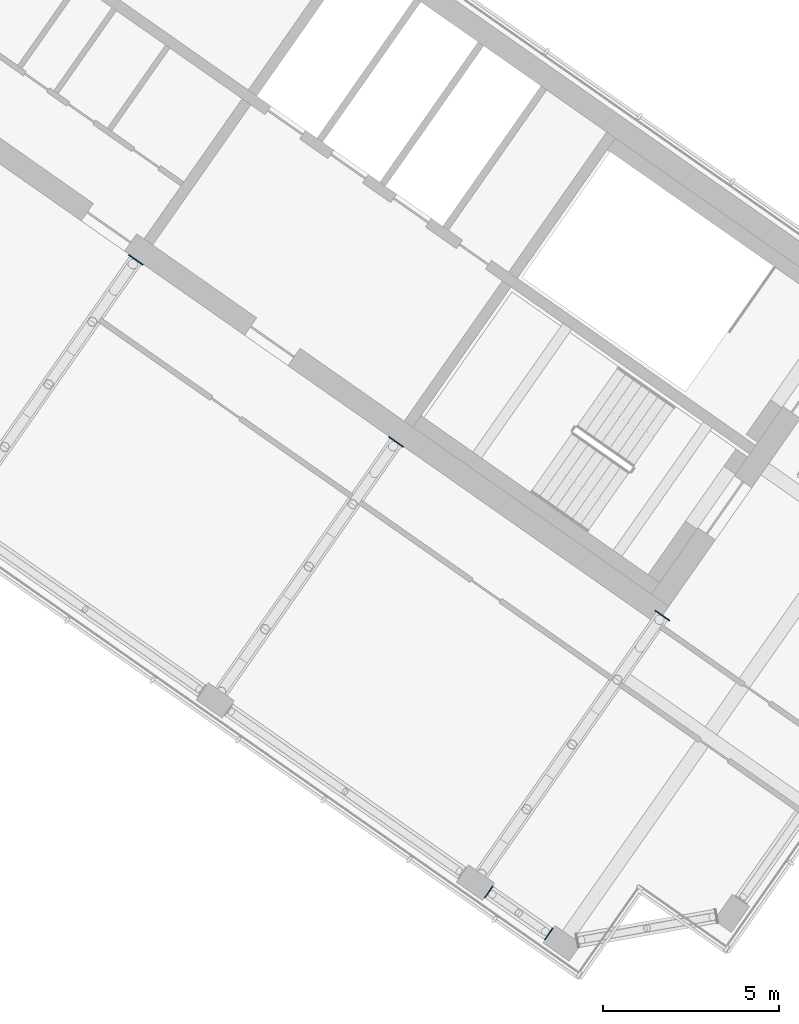
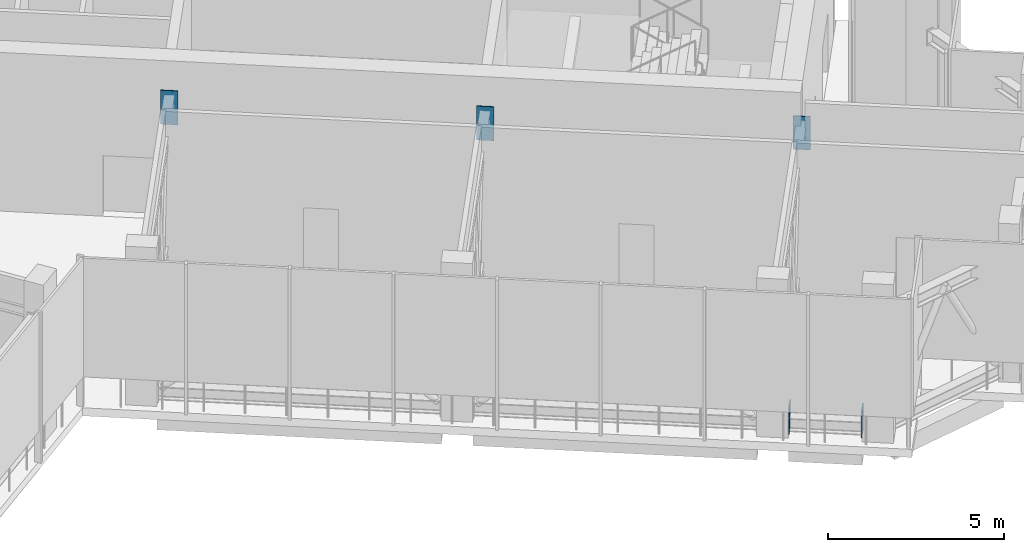
# One storey, part 8 of 16: 5 discrete accessories.
"""IFC4 building model written with IfcOpenShell, lengths in metres."""

from ifc_helpers import new_model, si_unit, direction, frame, origin, origin_2d, place, context, subcontext, project, spatial, rectangle, extrude, material, layer, layer_set, type_object, element, save


model = new_model("IFC4")

# Units and contexts
model_context = context("Model", 3, precision=1e-05, world=origin(), true_north=direction((0.0, 1.0)))
body_context = subcontext(model_context, "Body", "Model", "MODEL_VIEW")
ifc_project = project(units=[si_unit("LENGTHUNIT", "METRE"), si_unit("AREAUNIT", "SQUARE_METRE"), si_unit("VOLUMEUNIT", "CUBIC_METRE"), si_unit("PLANEANGLEUNIT", "RADIAN"), si_unit("MASSUNIT", "GRAM", prefix="KILO")], contexts=[model_context])

# Site, building, storey
site_placement = place(None, origin())
site = spatial("IfcSite", under=ifc_project, at=site_placement, CompositionType="ELEMENT")
building_placement = place(site_placement, origin())
building = spatial("IfcBuilding", under=site, at=building_placement, Name="Tel Ilan Convention Tower", CompositionType="ELEMENT")
storey_placement = place(building_placement, frame((0.0, 0.0, 313.300048828125)))
storey = spatial("IfcBuildingStorey", under=building, at=storey_placement, Name="L74", CompositionType="ELEMENT", Elevation=313.300048828125)

# Discrete accessories
ifc_material_1 = material(Name="Steel S355", Category="steel")
ifc_layer_1 = layer(ifc_material_1, 0.030029296875)
ifc_layer_set_1 = layer_set([ifc_layer_1], Name="Cast-in Plate 30 mm Steel S355")
discrete_accessory_type_1 = type_object("IfcDiscreteAccessoryType", Name="Cast-in Plate 30 mm Steel S355", PredefinedType="ANCHORPLATE", material=ifc_layer_set_1)
for number, where, z_axis, x_axis, name in (
    (1, (6.790283203125, -5.99365234375, 3.3134765625), (0.0, 0.0, 1.0), (0.573576436351, 0.819152044289, 0.0), "L74 E-F1 outrigger cast-in plate"),
    (2, (14.16259765625, -11.15576171875, 3.3134765625), (0.0, 0.0, 1.0), (0.573576436351, 0.819152044289, 0.0), "L74 E-F2 outrigger cast-in plate"),
):
    element("IfcDiscreteAccessory", number, at=place(storey_placement, frame(where, z_axis=z_axis, x_axis=x_axis)), inside=storey, type_object=discrete_accessory_type_1, Name=name, PredefinedType="ANCHORPLATE", context=body_context, shape_type="SweptSolid", body=[
        extrude(rectangle(XDim=0.030029296875, YDim=0.5, at=origin_2d()), origin(), (0.0, 0.0, 1.0), 1.176513671875),
    ])
discrete_accessory_placement = place(storey_placement, frame((21.70703125, -16.072265625, 3.333740234375), z_axis=(0.0, 0.0, 1.0), x_axis=(0.573576436351, 0.819152044289, 0.0)))
element("IfcDiscreteAccessory", 3, at=discrete_accessory_placement, inside=storey, type_object=discrete_accessory_type_1, Name="L74 E-F3 outrigger cast-in plate", PredefinedType="ANCHORPLATE", context=body_context, shape_type="SweptSolid", body=[
    extrude(rectangle(XDim=0.030029296875, YDim=0.5, at=origin_2d()), origin(), (0.0, 0.0, 1.0), 1.15625),
])
ifc_material_2 = material(Name="Steel S355", Category="steel")
ifc_layer_2 = layer(ifc_material_2, 0.02490234375)
ifc_layer_set_2 = layer_set([ifc_layer_2], Name="End Plate 25 mm Steel S355")
discrete_accessory_type_2 = type_object("IfcDiscreteAccessoryType", Name="End Plate 25 mm Steel S355", PredefinedType="BRACKET", material=ifc_layer_set_2)
for number, where, z_axis, x_axis, name in (
    (4, (16.788818359375, -23.90234375, 0.07470703125), (0.0, 0.0, 1.0), (-0.819152044289, 0.573576436351, 0.0), "L74 E-F3-E-FC belt end plate"),
    (5, (18.488525390625, -25.092529296875, 0.07470703125), (0.0, 0.0, 1.0), (0.819152044289, -0.573576436351, 0.0), "L74 E-F3-E-FC belt end plate"),
):
    element("IfcDiscreteAccessory", number, at=place(storey_placement, frame(where, z_axis=z_axis, x_axis=x_axis)), inside=storey, type_object=discrete_accessory_type_2, Name=name, PredefinedType="BRACKET", context=body_context, shape_type="SweptSolid", body=[
        extrude(rectangle(XDim=0.02490234375, YDim=0.39990234375, at=origin_2d()), origin(), (0.0, 0.0, 1.0), 0.909912109375),
    ])

save(model, "model.ifc")
